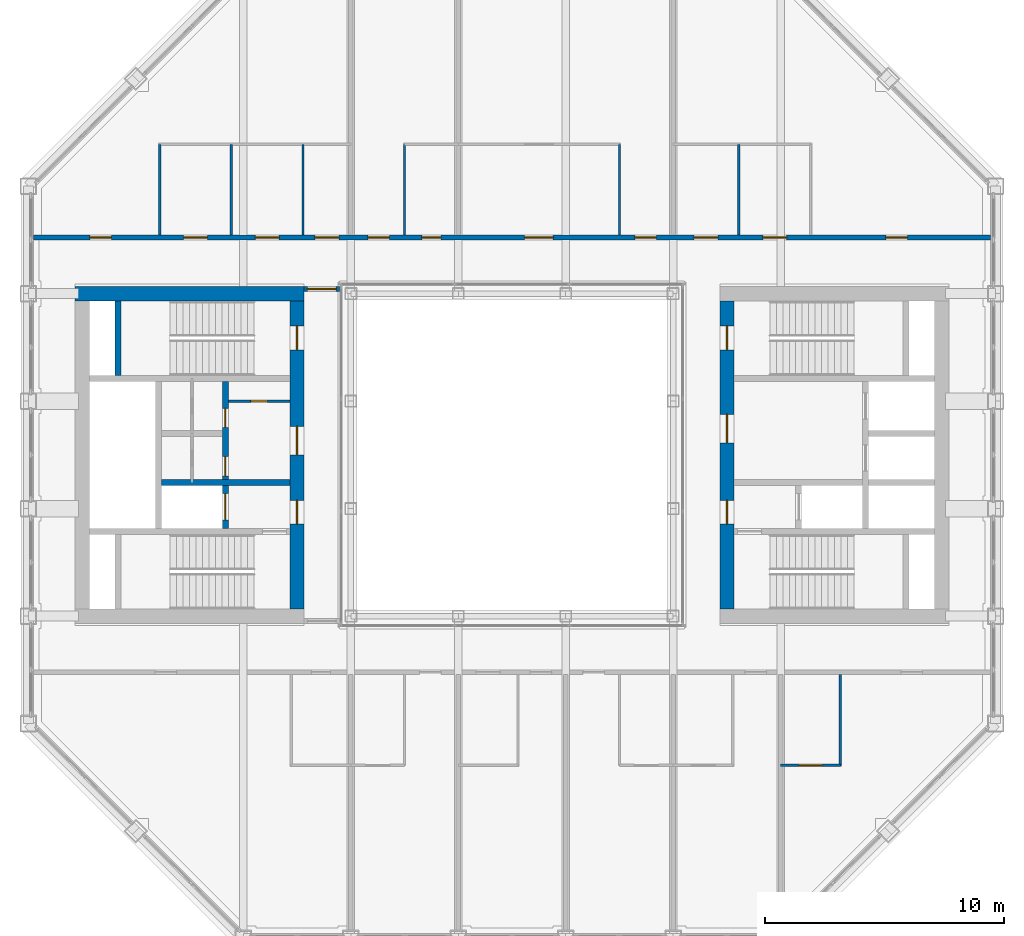
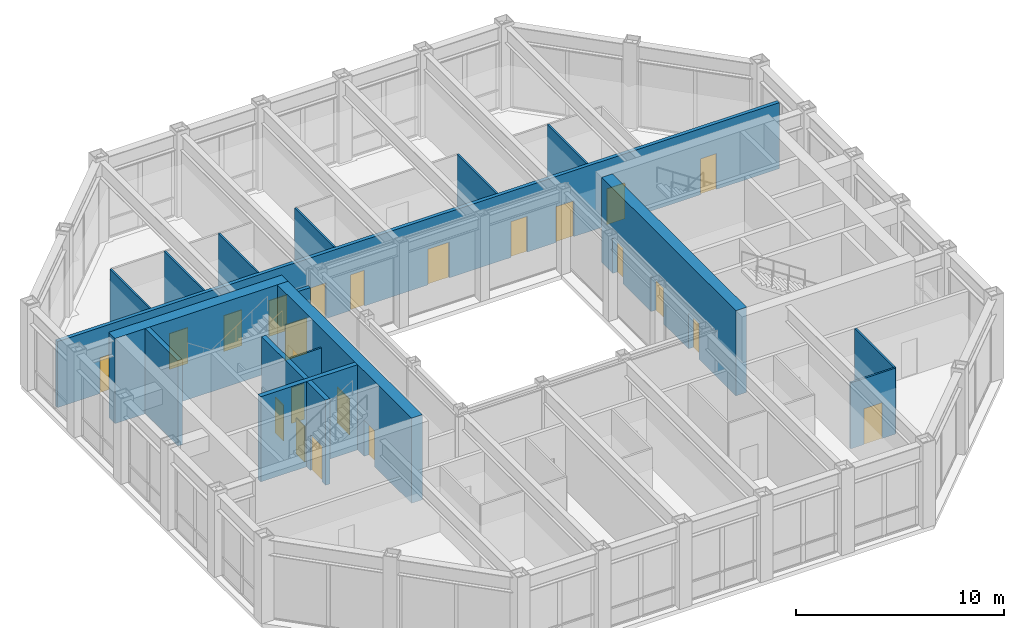
# One storey, part 12 of 15: 23 doors, 17 walls, 23 openings.
"""IFC4 building model written with IfcOpenShell, lengths in metres."""

from ifc_helpers import new_model, si_unit, direction, frame, frame_2d, origin, place, context, subcontext, project, spatial, rectangle, extrude, material, layer, layer_set, type_object, element, fill, save


model = new_model("IFC4")

# Units and contexts
model_context = context("Model", 3, precision=1e-05, world=origin(), true_north=direction((0.0, 1.0)))
body_context = subcontext(model_context, "Body", "Model", "MODEL_VIEW")
ifc_project = project(units=[si_unit("LENGTHUNIT", "METRE"), si_unit("AREAUNIT", "SQUARE_METRE"), si_unit("VOLUMEUNIT", "CUBIC_METRE"), si_unit("PLANEANGLEUNIT", "RADIAN"), si_unit("MASSUNIT", "GRAM", prefix="KILO")], contexts=[model_context])

# Site, building, storey
site_placement = place(None, origin())
site = spatial("IfcSite", under=ifc_project, at=site_placement, CompositionType="ELEMENT")
building_placement = place(site_placement, origin())
building = spatial("IfcBuilding", under=site, at=building_placement, Name="Msasa Ring Tower", CompositionType="ELEMENT")
storey_placement = place(building_placement, frame((0.0, 0.0, 195.800048828125)))
storey = spatial("IfcBuildingStorey", under=building, at=storey_placement, Name="L51", CompositionType="ELEMENT", Elevation=195.800048828125)

# Wall, openings, doors
ifc_material_1 = material(Name="Concrete C60/75", Category="concrete")
ifc_layer_1 = layer(ifc_material_1, 0.60009765625)
ifc_layer_set_1 = layer_set([ifc_layer_1], Name="CW3 CORE WALL 600")
wall_type_1 = type_object("IfcWallType", Name="CW3 CORE WALL 600", PredefinedType="SHEAR", material=ifc_layer_set_1)
wall_1_placement = place(storey_placement, frame((9.0, -6.449951171875, 0.0), z_axis=(0.0, 0.0, 1.0), x_axis=(0.0, 1.0, 0.0)))
wall_1 = element("IfcWall", 1, at=wall_1_placement, inside=storey, type_object=wall_type_1, Name="E core wall W L51", PredefinedType="SHEAR", context=body_context, shape_type="SweptSolid", body=[
    extrude(rectangle(XDim=12.89990234375, YDim=0.60009765625, at=frame_2d((6.449951171875, 0.0))), origin(), (0.0, 0.0, 1.0), 5.0),
])
opening_1_placement = place(wall_1_placement, frame((3.550048828125, 0.0, 0.0)))
opening_1 = element("IfcOpeningElement", 2, at=opening_1_placement, cuts=wall_1, Name="Opening L51-024", PredefinedType="OPENING", context=body_context, shape_type="SweptSolid", body=[
    extrude(rectangle(XDim=1.0, YDim=2.10009765625, at=frame_2d((0.5, 1.050048828125))), frame((0.0, 0.31005859375, 0.0), z_axis=(0.0, -1.0, 0.0), x_axis=(1.0, 0.0, 0.0)), (0.0, 0.0, 1.0), 0.6201171875),
])
opening_2_placement = place(wall_1_placement, frame((6.949951171875, 0.0, 0.0)))
opening_2 = element("IfcOpeningElement", 3, at=opening_2_placement, cuts=wall_1, Name="Opening L51-019", PredefinedType="OPENING", context=body_context, shape_type="SweptSolid", body=[
    extrude(rectangle(XDim=1.199951171875, YDim=2.10009765625, at=frame_2d((0.60009765625, 1.050048828125))), frame((0.0, 0.31005859375, 0.0), z_axis=(0.0, -1.0, 0.0), x_axis=(1.0, 0.0, 0.0)), (0.0, 0.0, 1.0), 0.6201171875),
])
opening_3_placement = place(wall_1_placement, frame((10.85009765625, 0.0, 0.0)))
opening_3 = element("IfcOpeningElement", 4, at=opening_3_placement, cuts=wall_1, Name="Opening L51-015", PredefinedType="OPENING", context=body_context, shape_type="SweptSolid", body=[
    extrude(rectangle(XDim=1.0, YDim=2.10009765625, at=frame_2d((0.5, 1.050048828125))), frame((0.0, 0.31005859375, 0.0), z_axis=(0.0, -1.0, 0.0), x_axis=(1.0, 0.0, 0.0)), (0.0, 0.0, 1.0), 0.6201171875),
])
ifc_material_2 = material(Name="Timber door leaf in a steel frame", Category="steel")
door_type_1 = type_object("IfcDoorType", Name="D4 LOBBY DOOR 1000x2100", OperationType="SINGLE_SWING_LEFT", PredefinedType="DOOR", material=ifc_material_2)
door_1_placement = place(opening_1_placement, origin())
door_1 = element("IfcDoor", 5, at=door_1_placement, inside=storey, type_object=door_type_1, Name="Door L51-EFFL", OperationType="SINGLE_SWING_LEFT", OverallHeight=2.10009765625, OverallWidth=1.0, PredefinedType="DOOR", context=body_context, shape_type="SweptSolid", body=[
    extrude(rectangle(XDim=1.0, YDim=2.10009765625, at=frame_2d((0.5, 1.050048828125))), frame((0.0, 0.02490234375, 0.0), z_axis=(0.0, -1.0, 0.0), x_axis=(1.0, 0.0, 0.0)), (0.0, 0.0, 1.0), 0.050048828125),
])
fill(opening_1, door_1)
ifc_material_3 = material(Name="Timber door leaf in a steel frame", Category="steel")
door_type_2 = type_object("IfcDoorType", Name="D5 WIDE LOBBY DOOR 1200x2100", OperationType="SINGLE_SWING_LEFT", PredefinedType="DOOR", material=ifc_material_3)
door_2_placement = place(opening_2_placement, origin())
door_2 = element("IfcDoor", 6, at=door_2_placement, inside=storey, type_object=door_type_2, Name="Door L51-ELL", OperationType="SINGLE_SWING_RIGHT", OverallHeight=2.10009765625, OverallWidth=1.199951171875, PredefinedType="DOOR", context=body_context, shape_type="SweptSolid", body=[
    extrude(rectangle(XDim=1.199951171875, YDim=2.10009765625, at=frame_2d((0.60009765625, 1.050048828125))), frame((0.0, 0.02490234375, 0.0), z_axis=(0.0, -1.0, 0.0), x_axis=(1.0, 0.0, 0.0)), (0.0, 0.0, 1.0), 0.050048828125),
])
fill(opening_2, door_2)
ifc_material_4 = material(Name="Timber door leaf in a steel frame", Category="steel")
door_type_3 = type_object("IfcDoorType", Name="D6 STAIR DOOR 1000x2100", OperationType="SINGLE_SWING_LEFT", PredefinedType="DOOR", material=ifc_material_4)
door_3_placement = place(opening_3_placement, origin())
door_3 = element("IfcDoor", 7, at=door_3_placement, inside=storey, type_object=door_type_3, Name="Door L51-ESTB", OperationType="SINGLE_SWING_RIGHT", OverallHeight=2.10009765625, OverallWidth=1.0, PredefinedType="DOOR", context=body_context, shape_type="SweptSolid", body=[
    extrude(rectangle(XDim=1.0, YDim=2.10009765625, at=frame_2d((0.5, 1.050048828125))), frame((0.0, 0.02490234375, 0.0), z_axis=(0.0, -1.0, 0.0), x_axis=(1.0, 0.0, 0.0)), (0.0, 0.0, 1.0), 0.050048828125),
])
fill(opening_3, door_3)

# Wall
wall_2_placement = place(storey_placement, frame((-8.699951171875, 6.75, 0.0), z_axis=(0.0, 0.0, 1.0), x_axis=(-1.0, 0.0, 0.0)))
element("IfcWall", 8, at=wall_2_placement, inside=storey, type_object=wall_type_1, Name="W core wall N L51", PredefinedType="SHEAR", context=body_context, shape_type="SweptSolid", body=[
    extrude(rectangle(XDim=9.60009765625, YDim=0.60009765625, at=frame_2d((4.800048828125, 0.0))), origin(), (0.0, 0.0, 1.0), 5.0),
])

# Wall, openings, doors
wall_3_placement = place(storey_placement, frame((-9.0, -6.449951171875, 0.0), z_axis=(0.0, 0.0, 1.0), x_axis=(0.0, 1.0, 0.0)))
wall_3 = element("IfcWall", 9, at=wall_3_placement, inside=storey, type_object=wall_type_1, Name="W core wall W L51", PredefinedType="SHEAR", context=body_context, shape_type="SweptSolid", body=[
    extrude(rectangle(XDim=12.89990234375, YDim=0.60009765625, at=frame_2d((6.449951171875, 0.0))), origin(), (0.0, 0.0, 1.0), 5.0),
])
opening_4_placement = place(wall_3_placement, frame((3.550048828125, 0.0, 0.0)))
opening_4 = element("IfcOpeningElement", 10, at=opening_4_placement, cuts=wall_3, Name="Opening L51-023", PredefinedType="OPENING", context=body_context, shape_type="SweptSolid", body=[
    extrude(rectangle(XDim=1.0, YDim=2.10009765625, at=frame_2d((0.5, 1.050048828125))), frame((0.0, 0.31005859375, 0.0), z_axis=(0.0, -1.0, 0.0), x_axis=(1.0, 0.0, 0.0)), (0.0, 0.0, 1.0), 0.6201171875),
])
opening_5_placement = place(wall_3_placement, frame((6.449951171875, 0.0, 0.0)))
opening_5 = element("IfcOpeningElement", 11, at=opening_5_placement, cuts=wall_3, Name="Opening L51-020", PredefinedType="OPENING", context=body_context, shape_type="SweptSolid", body=[
    extrude(rectangle(XDim=1.199951171875, YDim=2.10009765625, at=frame_2d((0.60009765625, 1.050048828125))), frame((0.0, 0.31005859375, 0.0), z_axis=(0.0, -1.0, 0.0), x_axis=(1.0, 0.0, 0.0)), (0.0, 0.0, 1.0), 0.6201171875),
])
opening_6_placement = place(wall_3_placement, frame((10.85009765625, 0.0, 0.0)))
opening_6 = element("IfcOpeningElement", 12, at=opening_6_placement, cuts=wall_3, Name="Opening L51-014", PredefinedType="OPENING", context=body_context, shape_type="SweptSolid", body=[
    extrude(rectangle(XDim=1.0, YDim=2.10009765625, at=frame_2d((0.5, 1.050048828125))), frame((0.0, 0.31005859375, 0.0), z_axis=(0.0, -1.0, 0.0), x_axis=(1.0, 0.0, 0.0)), (0.0, 0.0, 1.0), 0.6201171875),
])
door_4_placement = place(opening_4_placement, origin())
door_4 = element("IfcDoor", 13, at=door_4_placement, inside=storey, type_object=door_type_1, Name="Door L51-WFFL", OperationType="SINGLE_SWING_LEFT", OverallHeight=2.10009765625, OverallWidth=1.0, PredefinedType="DOOR", context=body_context, shape_type="SweptSolid", body=[
    extrude(rectangle(XDim=1.0, YDim=2.10009765625, at=frame_2d((0.5, 1.050048828125))), frame((0.0, 0.02490234375, 0.0), z_axis=(0.0, -1.0, 0.0), x_axis=(1.0, 0.0, 0.0)), (0.0, 0.0, 1.0), 0.050048828125),
])
fill(opening_4, door_4)
door_5_placement = place(opening_5_placement, origin())
door_5 = element("IfcDoor", 14, at=door_5_placement, inside=storey, type_object=door_type_2, Name="Door L51-WLL", OperationType="SINGLE_SWING_RIGHT", OverallHeight=2.10009765625, OverallWidth=1.199951171875, PredefinedType="DOOR", context=body_context, shape_type="SweptSolid", body=[
    extrude(rectangle(XDim=1.199951171875, YDim=2.10009765625, at=frame_2d((0.60009765625, 1.050048828125))), frame((0.0, 0.02490234375, 0.0), z_axis=(0.0, -1.0, 0.0), x_axis=(1.0, 0.0, 0.0)), (0.0, 0.0, 1.0), 0.050048828125),
])
fill(opening_5, door_5)
door_6_placement = place(opening_6_placement, origin())
door_6 = element("IfcDoor", 15, at=door_6_placement, inside=storey, type_object=door_type_3, Name="Door L51-WSTB", OperationType="SINGLE_SWING_RIGHT", OverallHeight=2.10009765625, OverallWidth=1.0, PredefinedType="DOOR", context=body_context, shape_type="SweptSolid", body=[
    extrude(rectangle(XDim=1.0, YDim=2.10009765625, at=frame_2d((0.5, 1.050048828125))), frame((0.0, 0.02490234375, 0.0), z_axis=(0.0, -1.0, 0.0), x_axis=(1.0, 0.0, 0.0)), (0.0, 0.0, 1.0), 0.050048828125),
])
fill(opening_6, door_6)

# Walls
ifc_material_5 = material(Name="Concrete C60/75", Category="concrete")
ifc_layer_2 = layer(ifc_material_5, 0.25)
ifc_layer_set_2 = layer_set([ifc_layer_2], Name="CW4 CORE INNER WALL 250")
wall_type_2 = type_object("IfcWallType", Name="CW4 CORE INNER WALL 250", PredefinedType="SHEAR", material=ifc_layer_set_2)
wall_4_placement = place(storey_placement, frame((-16.5, 3.324951171875, 0.0), z_axis=(0.0, 0.0, 1.0), x_axis=(0.0, 1.0, 0.0)))
element("IfcWall", 16, at=wall_4_placement, inside=storey, type_object=wall_type_2, Name="W core wall RISERB L51", PredefinedType="SHEAR", context=body_context, shape_type="SweptSolid", body=[
    extrude(rectangle(XDim=3.125, YDim=0.25, at=frame_2d((1.5625, 0.0))), origin(), (0.0, 0.0, 1.0), 5.0),
])
wall_5_placement = place(storey_placement, frame((-9.300048828125, -1.14990234375, 0.0), z_axis=(0.0, 0.0, 1.0), x_axis=(-1.0, 0.0, 0.0)))
element("IfcWall", 17, at=wall_5_placement, inside=storey, type_object=wall_type_2, Name="W core wall FFL L51", PredefinedType="SHEAR", context=body_context, shape_type="SweptSolid", body=[
    extrude(rectangle(XDim=5.375, YDim=0.25, at=frame_2d((2.6875, 0.0))), origin(), (0.0, 0.0, 1.0), 5.0),
])

# Wall, openings, doors
wall_6_placement = place(storey_placement, frame((-12.0, -3.074951171875, 0.0), z_axis=(0.0, 0.0, 1.0), x_axis=(0.0, 1.0, 0.0)))
wall_6 = element("IfcWall", 18, at=wall_6_placement, inside=storey, type_object=wall_type_2, Name="W core wall LOBBY L51", PredefinedType="SHEAR", context=body_context, shape_type="SweptSolid", body=[
    extrude(rectangle(XDim=6.14990234375, YDim=0.25, at=frame_2d((3.074951171875, 0.0))), origin(), (0.0, 0.0, 1.0), 5.0),
])
opening_7_placement = place(wall_6_placement, frame((2.199951171875, 0.0, 0.0)))
opening_7 = element("IfcOpeningElement", 19, at=opening_7_placement, cuts=wall_6, Name="Opening L51-022", PredefinedType="OPENING", context=body_context, shape_type="SweptSolid", body=[
    extrude(rectangle(XDim=0.800048828125, YDim=2.10009765625, at=frame_2d((0.39990234375, 1.050048828125))), frame((0.0, 0.135009765625, 0.0), z_axis=(0.0, -1.0, 0.0), x_axis=(1.0, 0.0, 0.0)), (0.0, 0.0, 1.0), 0.27001953125),
])
opening_8_placement = place(wall_6_placement, frame((4.22509765625, 0.0, 0.0)))
opening_8 = element("IfcOpeningElement", 20, at=opening_8_placement, cuts=wall_6, Name="Opening L51-018", PredefinedType="OPENING", context=body_context, shape_type="SweptSolid", body=[
    extrude(rectangle(XDim=0.800048828125, YDim=2.10009765625, at=frame_2d((0.39990234375, 1.050048828125))), frame((0.0, 0.135009765625, 0.0), z_axis=(0.0, -1.0, 0.0), x_axis=(1.0, 0.0, 0.0)), (0.0, 0.0, 1.0), 0.27001953125),
])
opening_9_placement = place(wall_6_placement, frame((0.35009765625, 0.0, 0.0)))
opening_9 = element("IfcOpeningElement", 21, at=opening_9_placement, cuts=wall_6, Name="Opening LD1", PredefinedType="OPENING", context=body_context, shape_type="SweptSolid", body=[
    extrude(rectangle(XDim=1.10009765625, YDim=2.10009765625, at=frame_2d((0.550048828125, 1.050048828125))), frame((0.0, 0.135009765625, 0.0), z_axis=(0.0, -1.0, 0.0), x_axis=(1.0, 0.0, 0.0)), (0.0, 0.0, 1.0), 0.27001953125),
])
ifc_material_6 = material(Name="Timber door leaf in a steel frame", Category="steel")
door_type_4 = type_object("IfcDoorType", Name="D9 NARROW SERVICE DOOR 800x2100", OperationType="SINGLE_SWING_LEFT", PredefinedType="DOOR", material=ifc_material_6)
door_7_placement = place(opening_7_placement, origin())
door_7 = element("IfcDoor", 22, at=door_7_placement, inside=storey, type_object=door_type_4, Name="Door L51-WR1", OperationType="SINGLE_SWING_LEFT", OverallHeight=2.10009765625, OverallWidth=0.800048828125, PredefinedType="DOOR", context=body_context, shape_type="SweptSolid", body=[
    extrude(rectangle(XDim=0.800048828125, YDim=2.10009765625, at=frame_2d((0.39990234375, 1.050048828125))), frame((0.0, 0.02490234375, 0.0), z_axis=(0.0, -1.0, 0.0), x_axis=(1.0, 0.0, 0.0)), (0.0, 0.0, 1.0), 0.050048828125),
])
fill(opening_7, door_7)
door_8_placement = place(opening_8_placement, origin())
door_8 = element("IfcDoor", 23, at=door_8_placement, inside=storey, type_object=door_type_4, Name="Door L51-WR2", OperationType="SINGLE_SWING_RIGHT", OverallHeight=2.10009765625, OverallWidth=0.800048828125, PredefinedType="DOOR", context=body_context, shape_type="SweptSolid", body=[
    extrude(rectangle(XDim=0.800048828125, YDim=2.10009765625, at=frame_2d((0.39990234375, 1.050048828125))), frame((0.0, 0.02490234375, 0.0), z_axis=(0.0, -1.0, 0.0), x_axis=(1.0, 0.0, 0.0)), (0.0, 0.0, 1.0), 0.050048828125),
])
fill(opening_8, door_8)
ifc_material_7 = material(Name="Stainless steel lift landing door", Category="steel")
door_type_5 = type_object("IfcDoorType", Name="LD1 LIFT LANDING DOOR 1100x2100", OperationType="DOUBLE_DOOR_SLIDING", PredefinedType="DOOR", material=ifc_material_7)
door_9_placement = place(opening_9_placement, origin())
door_9 = element("IfcDoor", 24, at=door_9_placement, inside=storey, type_object=door_type_5, Name="Lift landing door FL-W L51", OperationType="DOUBLE_DOOR_SLIDING", OverallHeight=2.10009765625, OverallWidth=1.10009765625, PredefinedType="DOOR", context=body_context, shape_type="SweptSolid", body=[
    extrude(rectangle(XDim=1.10009765625, YDim=2.10009765625, at=frame_2d((0.550048828125, 1.050048828125))), frame((0.0, 0.02490234375, 0.0), z_axis=(0.0, -1.0, 0.0), x_axis=(1.0, 0.0, 0.0)), (0.0, 0.0, 1.0), 0.050048828125),
])
fill(opening_9, door_9)

# Wall, opening, door
ifc_material_8 = material(Name="Concrete blockwork", Category="masonry")
ifc_layer_3 = layer(ifc_material_8, 0.199951171875)
ifc_layer_set_3 = layer_set([ifc_layer_3], Name="PT1 CORRIDOR WALL 200")
wall_type_3 = type_object("IfcWallType", Name="PT1 CORRIDOR WALL 200", PredefinedType="PARTITIONING", material=ifc_layer_set_3)
wall_7_placement = place(storey_placement, frame((-8.699951171875, 6.949951171875, 0.0), z_axis=(0.0, 0.0, 1.0), x_axis=(1.0, 0.0, 0.0)))
wall_7 = element("IfcWall", 25, at=wall_7_placement, inside=storey, type_object=wall_type_3, Name="Corridor wall L51-SDWN", PredefinedType="PARTITIONING", context=body_context, shape_type="SweptSolid", body=[
    extrude(rectangle(XDim=1.469970703125, YDim=0.199951171875, at=frame_2d((0.73486328125, 0.0))), origin(), (0.0, 0.0, 1.0), 3.873291015625),
])
opening_10_placement = place(wall_7_placement, frame((0.135009765625, 0.0, 0.0)))
opening_10 = element("IfcOpeningElement", 26, at=opening_10_placement, cuts=wall_7, Name="Opening L51-013", PredefinedType="OPENING", context=body_context, shape_type="SweptSolid", body=[
    extrude(rectangle(XDim=1.199951171875, YDim=2.10009765625, at=frame_2d((0.60009765625, 1.050048828125))), frame((0.0, 0.10986328125, 0.0), z_axis=(0.0, -1.0, 0.0), x_axis=(1.0, 0.0, 0.0)), (0.0, 0.0, 1.0), 0.219970703125),
])
ifc_material_9 = material(Name="Timber door leaf in a steel frame", Category="steel")
door_type_6 = type_object("IfcDoorType", Name="D25 CORRIDOR PAIR OF SMOKE DOORS 1200x2100", OperationType="DOUBLE_DOOR_DOUBLE_SWING", PredefinedType="DOOR", material=ifc_material_9)
door_10_placement = place(opening_10_placement, origin())
door_10 = element("IfcDoor", 27, at=door_10_placement, inside=storey, type_object=door_type_6, Name="Door L51-SDWN", OperationType="DOUBLE_DOOR_DOUBLE_SWING", OverallHeight=2.10009765625, OverallWidth=1.199951171875, PredefinedType="DOOR", context=body_context, shape_type="SweptSolid", body=[
    extrude(rectangle(XDim=1.199951171875, YDim=2.10009765625, at=frame_2d((0.60009765625, 1.050048828125))), frame((0.0, 0.02490234375, 0.0), z_axis=(0.0, -1.0, 0.0), x_axis=(1.0, 0.0, 0.0)), (0.0, 0.0, 1.0), 0.050048828125),
])
fill(opening_10, door_10)

# Wall, openings, doors
wall_8_placement = place(storey_placement, frame((-20.02490234375, 9.10009765625, 0.0), z_axis=(0.0, 0.0, 1.0), x_axis=(1.0, 0.0, 0.0)))
wall_8 = element("IfcWall", 28, at=wall_8_placement, inside=storey, type_object=wall_type_3, Name="Corridor wall L51-CORRN0", PredefinedType="PARTITIONING", context=body_context, shape_type="SweptSolid", body=[
    extrude(rectangle(XDim=40.0498046875, YDim=0.199951171875, at=frame_2d((20.02490234375, 0.0))), origin(), (0.0, 0.0, 1.0), 3.873291015625),
])
opening_11_placement = place(wall_8_placement, frame((2.3486328125, 0.0, 0.0)))
opening_11 = element("IfcOpeningElement", 29, at=opening_11_placement, cuts=wall_8, Name="Opening L51-002", PredefinedType="OPENING", context=body_context, shape_type="SweptSolid", body=[
    extrude(rectangle(XDim=0.89990234375, YDim=2.10009765625, at=frame_2d((0.449951171875, 1.050048828125))), frame((0.0, 0.10986328125, 0.0), z_axis=(0.0, -1.0, 0.0), x_axis=(1.0, 0.0, 0.0)), (0.0, 0.0, 1.0), 0.219970703125),
])
opening_12_placement = place(wall_8_placement, frame((6.27490234375, 0.0, 0.0)))
opening_12 = element("IfcOpeningElement", 30, at=opening_12_placement, cuts=wall_8, Name="Opening L51-003", PredefinedType="OPENING", context=body_context, shape_type="SweptSolid", body=[
    extrude(rectangle(XDim=1.0, YDim=2.10009765625, at=frame_2d((0.5, 1.050048828125))), frame((0.0, 0.10986328125, 0.0), z_axis=(0.0, -1.0, 0.0), x_axis=(1.0, 0.0, 0.0)), (0.0, 0.0, 1.0), 0.219970703125),
])
opening_13_placement = place(wall_8_placement, frame((9.27490234375, 0.0, 0.0)))
opening_13 = element("IfcOpeningElement", 31, at=opening_13_placement, cuts=wall_8, Name="Opening L51-004", PredefinedType="OPENING", context=body_context, shape_type="SweptSolid", body=[
    extrude(rectangle(XDim=1.0, YDim=2.10009765625, at=frame_2d((0.5, 1.050048828125))), frame((0.0, 0.10986328125, 0.0), z_axis=(0.0, -1.0, 0.0), x_axis=(1.0, 0.0, 0.0)), (0.0, 0.0, 1.0), 0.219970703125),
])
opening_14_placement = place(wall_8_placement, frame((11.77490234375, 0.0, 0.0)))
opening_14 = element("IfcOpeningElement", 32, at=opening_14_placement, cuts=wall_8, Name="Opening L51-005", PredefinedType="OPENING", context=body_context, shape_type="SweptSolid", body=[
    extrude(rectangle(XDim=1.0, YDim=2.10009765625, at=frame_2d((0.5, 1.050048828125))), frame((0.0, 0.10986328125, 0.0), z_axis=(0.0, -1.0, 0.0), x_axis=(1.0, 0.0, 0.0)), (0.0, 0.0, 1.0), 0.219970703125),
])
opening_15_placement = place(wall_8_placement, frame((13.9892578125, 0.0, 0.0)))
opening_15 = element("IfcOpeningElement", 33, at=opening_15_placement, cuts=wall_8, Name="Opening L51-006", PredefinedType="OPENING", context=body_context, shape_type="SweptSolid", body=[
    extrude(rectangle(XDim=0.89990234375, YDim=2.10009765625, at=frame_2d((0.449951171875, 1.050048828125))), frame((0.0, 0.10986328125, 0.0), z_axis=(0.0, -1.0, 0.0), x_axis=(1.0, 0.0, 0.0)), (0.0, 0.0, 1.0), 0.219970703125),
])
opening_16_placement = place(wall_8_placement, frame((16.25, 0.0, 0.0)))
opening_16 = element("IfcOpeningElement", 34, at=opening_16_placement, cuts=wall_8, Name="Opening L51-007", PredefinedType="OPENING", context=body_context, shape_type="SweptSolid", body=[
    extrude(rectangle(XDim=0.800048828125, YDim=2.10009765625, at=frame_2d((0.39990234375, 1.050048828125))), frame((0.0, 0.10986328125, 0.0), z_axis=(0.0, -1.0, 0.0), x_axis=(1.0, 0.0, 0.0)), (0.0, 0.0, 1.0), 0.219970703125),
])
opening_17_placement = place(wall_8_placement, frame((25.1689453125, 0.0, 0.0)))
opening_17 = element("IfcOpeningElement", 35, at=opening_17_placement, cuts=wall_8, Name="Opening L51-009", PredefinedType="OPENING", context=body_context, shape_type="SweptSolid", body=[
    extrude(rectangle(XDim=0.89990234375, YDim=2.10009765625, at=frame_2d((0.449951171875, 1.050048828125))), frame((0.0, 0.10986328125, 0.0), z_axis=(0.0, -1.0, 0.0), x_axis=(1.0, 0.0, 0.0)), (0.0, 0.0, 1.0), 0.219970703125),
])
opening_18_placement = place(wall_8_placement, frame((20.550048828125, 0.0, 0.0)))
opening_18 = element("IfcOpeningElement", 36, at=opening_18_placement, cuts=wall_8, Name="Opening L51-008", PredefinedType="OPENING", context=body_context, shape_type="SweptSolid", body=[
    extrude(rectangle(XDim=1.199951171875, YDim=2.10009765625, at=frame_2d((0.60009765625, 1.050048828125))), frame((0.0, 0.10986328125, 0.0), z_axis=(0.0, -1.0, 0.0), x_axis=(1.0, 0.0, 0.0)), (0.0, 0.0, 1.0), 0.219970703125),
])
opening_19_placement = place(wall_8_placement, frame((35.677001953125, 0.0, 0.0)))
opening_19 = element("IfcOpeningElement", 37, at=opening_19_placement, cuts=wall_8, Name="Opening L51-012", PredefinedType="OPENING", context=body_context, shape_type="SweptSolid", body=[
    extrude(rectangle(XDim=0.89990234375, YDim=2.10009765625, at=frame_2d((0.449951171875, 1.050048828125))), frame((0.0, 0.10986328125, 0.0), z_axis=(0.0, -1.0, 0.0), x_axis=(1.0, 0.0, 0.0)), (0.0, 0.0, 1.0), 0.219970703125),
])
opening_20_placement = place(wall_8_placement, frame((27.64990234375, 0.0, 0.0)))
opening_20 = element("IfcOpeningElement", 38, at=opening_20_placement, cuts=wall_8, Name="Opening L51-010", PredefinedType="OPENING", context=body_context, shape_type="SweptSolid", body=[
    extrude(rectangle(XDim=1.0, YDim=2.10009765625, at=frame_2d((0.5, 1.050048828125))), frame((0.0, 0.10986328125, 0.0), z_axis=(0.0, -1.0, 0.0), x_axis=(1.0, 0.0, 0.0)), (0.0, 0.0, 1.0), 0.219970703125),
])
opening_21_placement = place(wall_8_placement, frame((30.52490234375, 0.0, 0.0)))
opening_21 = element("IfcOpeningElement", 39, at=opening_21_placement, cuts=wall_8, Name="Opening L51-011", PredefinedType="OPENING", context=body_context, shape_type="SweptSolid", body=[
    extrude(rectangle(XDim=1.0, YDim=2.10009765625, at=frame_2d((0.5, 1.050048828125))), frame((0.0, 0.10986328125, 0.0), z_axis=(0.0, -1.0, 0.0), x_axis=(1.0, 0.0, 0.0)), (0.0, 0.0, 1.0), 0.219970703125),
])
ifc_material_10 = material(Name="Timber door leaf in a steel frame", Category="steel")
door_type_7 = type_object("IfcDoorType", Name="D1 SINGLE DOOR TO CORRIDOR 900x2100", OperationType="SINGLE_SWING_LEFT", PredefinedType="DOOR", material=ifc_material_10)
door_11_placement = place(opening_11_placement, origin())
door_11 = element("IfcDoor", 40, at=door_11_placement, inside=storey, type_object=door_type_7, Name="Door L51-CLN0F0", OperationType="SINGLE_SWING_LEFT", OverallHeight=2.10009765625, OverallWidth=0.89990234375, PredefinedType="DOOR", context=body_context, shape_type="SweptSolid", body=[
    extrude(rectangle(XDim=0.89990234375, YDim=2.10009765625, at=frame_2d((0.449951171875, 1.050048828125))), frame((0.0, 0.02490234375, 0.0), z_axis=(0.0, -1.0, 0.0), x_axis=(1.0, 0.0, 0.0)), (0.0, 0.0, 1.0), 0.050048828125),
])
fill(opening_11, door_11)
door_12_placement = place(opening_15_placement, origin())
door_12 = element("IfcDoor", 41, at=door_12_placement, inside=storey, type_object=door_type_7, Name="Door L51-CLN1F0", OperationType="SINGLE_SWING_LEFT", OverallHeight=2.10009765625, OverallWidth=0.89990234375, PredefinedType="DOOR", context=body_context, shape_type="SweptSolid", body=[
    extrude(rectangle(XDim=0.89990234375, YDim=2.10009765625, at=frame_2d((0.449951171875, 1.050048828125))), frame((0.0, 0.02490234375, 0.0), z_axis=(0.0, -1.0, 0.0), x_axis=(1.0, 0.0, 0.0)), (0.0, 0.0, 1.0), 0.050048828125),
])
fill(opening_15, door_12)
door_13_placement = place(opening_17_placement, origin())
door_13 = element("IfcDoor", 42, at=door_13_placement, inside=storey, type_object=door_type_7, Name="Door L51-CLN2F0", OperationType="SINGLE_SWING_RIGHT", OverallHeight=2.10009765625, OverallWidth=0.89990234375, PredefinedType="DOOR", context=body_context, shape_type="SweptSolid", body=[
    extrude(rectangle(XDim=0.89990234375, YDim=2.10009765625, at=frame_2d((0.449951171875, 1.050048828125))), frame((0.0, 0.02490234375, 0.0), z_axis=(0.0, -1.0, 0.0), x_axis=(1.0, 0.0, 0.0)), (0.0, 0.0, 1.0), 0.050048828125),
])
fill(opening_17, door_13)
door_14_placement = place(opening_19_placement, origin())
door_14 = element("IfcDoor", 43, at=door_14_placement, inside=storey, type_object=door_type_7, Name="Door L51-CLN3F0", OperationType="SINGLE_SWING_RIGHT", OverallHeight=2.10009765625, OverallWidth=0.89990234375, PredefinedType="DOOR", context=body_context, shape_type="SweptSolid", body=[
    extrude(rectangle(XDim=0.89990234375, YDim=2.10009765625, at=frame_2d((0.449951171875, 1.050048828125))), frame((0.0, 0.02490234375, 0.0), z_axis=(0.0, -1.0, 0.0), x_axis=(1.0, 0.0, 0.0)), (0.0, 0.0, 1.0), 0.050048828125),
])
fill(opening_19, door_14)
ifc_material_11 = material(Name="Timber door leaf in a steel frame", Category="steel")
door_type_8 = type_object("IfcDoorType", Name="D11 NARROW STORE DOOR 800x2100", OperationType="SINGLE_SWING_LEFT", PredefinedType="DOOR", material=ifc_material_11)
door_15_placement = place(opening_16_placement, origin())
door_15 = element("IfcDoor", 44, at=door_15_placement, inside=storey, type_object=door_type_8, Name="Door L51-CLN1B0", OperationType="SINGLE_SWING_LEFT", OverallHeight=2.10009765625, OverallWidth=0.800048828125, PredefinedType="DOOR", context=body_context, shape_type="SweptSolid", body=[
    extrude(rectangle(XDim=0.800048828125, YDim=2.10009765625, at=frame_2d((0.39990234375, 1.050048828125))), frame((0.0, 0.02490234375, 0.0), z_axis=(0.0, -1.0, 0.0), x_axis=(1.0, 0.0, 0.0)), (0.0, 0.0, 1.0), 0.050048828125),
])
fill(opening_16, door_15)
ifc_material_12 = material(Name="Timber door leaf in a steel frame", Category="steel")
door_type_9 = type_object("IfcDoorType", Name="D12 WC DOOR 1000x2100", OperationType="SINGLE_SWING_LEFT", PredefinedType="DOOR", material=ifc_material_12)
door_16_placement = place(opening_12_placement, origin())
door_16 = element("IfcDoor", 45, at=door_16_placement, inside=storey, type_object=door_type_9, Name="Door L51-CLN0B0", OperationType="SINGLE_SWING_LEFT", OverallHeight=2.10009765625, OverallWidth=1.0, PredefinedType="DOOR", context=body_context, shape_type="SweptSolid", body=[
    extrude(rectangle(XDim=1.0, YDim=2.10009765625, at=frame_2d((0.5, 1.050048828125))), frame((0.0, 0.02490234375, 0.0), z_axis=(0.0, -1.0, 0.0), x_axis=(1.0, 0.0, 0.0)), (0.0, 0.0, 1.0), 0.050048828125),
])
fill(opening_12, door_16)
door_17_placement = place(opening_13_placement, origin())
door_17 = element("IfcDoor", 46, at=door_17_placement, inside=storey, type_object=door_type_9, Name="Door L51-CLN0B1", OperationType="SINGLE_SWING_LEFT", OverallHeight=2.10009765625, OverallWidth=1.0, PredefinedType="DOOR", context=body_context, shape_type="SweptSolid", body=[
    extrude(rectangle(XDim=1.0, YDim=2.10009765625, at=frame_2d((0.5, 1.050048828125))), frame((0.0, 0.02490234375, 0.0), z_axis=(0.0, -1.0, 0.0), x_axis=(1.0, 0.0, 0.0)), (0.0, 0.0, 1.0), 0.050048828125),
])
fill(opening_13, door_17)
door_18_placement = place(opening_14_placement, origin())
door_18 = element("IfcDoor", 47, at=door_18_placement, inside=storey, type_object=door_type_9, Name="Door L51-CLN0B2", OperationType="SINGLE_SWING_LEFT", OverallHeight=2.10009765625, OverallWidth=1.0, PredefinedType="DOOR", context=body_context, shape_type="SweptSolid", body=[
    extrude(rectangle(XDim=1.0, YDim=2.10009765625, at=frame_2d((0.5, 1.050048828125))), frame((0.0, 0.02490234375, 0.0), z_axis=(0.0, -1.0, 0.0), x_axis=(1.0, 0.0, 0.0)), (0.0, 0.0, 1.0), 0.050048828125),
])
fill(opening_14, door_18)
ifc_material_13 = material(Name="Timber door leaf in a steel frame", Category="steel")
door_type_10 = type_object("IfcDoorType", Name="D26 WIDE SERVICE ROOM DOOR 1200x2100", OperationType="SINGLE_SWING_LEFT", PredefinedType="DOOR", material=ifc_material_13)
door_19_placement = place(opening_18_placement, origin())
door_19 = element("IfcDoor", 48, at=door_19_placement, inside=storey, type_object=door_type_10, Name="Door L51-CLN2B0C", OperationType="SINGLE_SWING_RIGHT", OverallHeight=2.10009765625, OverallWidth=1.199951171875, PredefinedType="DOOR", context=body_context, shape_type="SweptSolid", body=[
    extrude(rectangle(XDim=1.199951171875, YDim=2.10009765625, at=frame_2d((0.60009765625, 1.050048828125))), frame((0.0, 0.02490234375, 0.0), z_axis=(0.0, -1.0, 0.0), x_axis=(1.0, 0.0, 0.0)), (0.0, 0.0, 1.0), 0.050048828125),
])
fill(opening_18, door_19)
ifc_material_14 = material(Name="Timber door leaf in a steel frame", Category="steel")
door_type_11 = type_object("IfcDoorType", Name="D40 SINGLE DOOR TO CORRIDOR 1000x2100", OperationType="SINGLE_SWING_LEFT", PredefinedType="DOOR", material=ifc_material_14)
door_20_placement = place(opening_20_placement, origin())
door_20 = element("IfcDoor", 49, at=door_20_placement, inside=storey, type_object=door_type_11, Name="Door L51-CLN3B0", OperationType="SINGLE_SWING_RIGHT", OverallHeight=2.10009765625, OverallWidth=1.0, PredefinedType="DOOR", context=body_context, shape_type="SweptSolid", body=[
    extrude(rectangle(XDim=1.0, YDim=2.10009765625, at=frame_2d((0.5, 1.050048828125))), frame((0.0, 0.02490234375, 0.0), z_axis=(0.0, -1.0, 0.0), x_axis=(1.0, 0.0, 0.0)), (0.0, 0.0, 1.0), 0.050048828125),
])
fill(opening_20, door_20)
door_21_placement = place(opening_21_placement, origin())
door_21 = element("IfcDoor", 50, at=door_21_placement, inside=storey, type_object=door_type_11, Name="Door L51-CLN3B1", OperationType="SINGLE_SWING_RIGHT", OverallHeight=2.10009765625, OverallWidth=1.0, PredefinedType="DOOR", context=body_context, shape_type="SweptSolid", body=[
    extrude(rectangle(XDim=1.0, YDim=2.10009765625, at=frame_2d((0.5, 1.050048828125))), frame((0.0, 0.02490234375, 0.0), z_axis=(0.0, -1.0, 0.0), x_axis=(1.0, 0.0, 0.0)), (0.0, 0.0, 1.0), 0.050048828125),
])
fill(opening_21, door_21)

# Walls
ifc_material_15 = material(Name="Gypsum board on steel studs", Category="steel")
ifc_layer_4 = layer(ifc_material_15, 0.10009765625)
ifc_layer_set_4 = layer_set([ifc_layer_4], Name="PT2 STUD PARTITION 100")
wall_type_4 = type_object("IfcWallType", Name="PT2 STUD PARTITION 100", PredefinedType="PARTITIONING", material=ifc_layer_set_4)
for number, where, z_axis, x_axis, name in (
    (51, (-14.75, 9.199951171875, 0.0), (0.0, 0.0, 1.0), (0.0, 1.0, 0.0), "Partition L51-CLN0Y0"),
    (52, (-11.75, 9.199951171875, 0.0), (0.0, 0.0, 1.0), (0.0, 1.0, 0.0), "Partition L51-CLN0Y1"),
    (53, (-8.75, 9.199951171875, 0.0), (0.0, 0.0, 1.0), (0.0, 1.0, 0.0), "Partition L51-CLN0Y2"),
    (54, (-4.5, 9.199951171875, 0.0), (0.0, 0.0, 1.0), (0.0, 1.0, 0.0), "Partition L51-CLN1Y0"),
    (55, (4.5, 9.199951171875, 0.0), (0.0, 0.0, 1.0), (0.0, 1.0, 0.0), "Partition L51-CLN2Y0"),
    (56, (9.5, 9.199951171875, 0.0), (0.0, 0.0, 1.0), (0.0, 1.0, 0.0), "Partition L51-CLN3Y0"),
):
    element("IfcWall", number, at=place(storey_placement, frame(where, z_axis=z_axis, x_axis=x_axis)), inside=storey, type_object=wall_type_4, Name=name, PredefinedType="PARTITIONING", context=body_context, shape_type="SweptSolid", body=[
        extrude(rectangle(XDim=3.800048828125, YDim=0.10009765625, at=frame_2d((1.89990234375, 0.0))), origin(), (0.0, 0.0, 1.0), 3.873291015625),
    ])

# Wall, opening, door
wall_9_placement = place(storey_placement, frame((11.25, -13.0, 0.0), z_axis=(0.0, 0.0, 1.0), x_axis=(1.0, 0.0, 0.0)))
wall_9 = element("IfcWall", 57, at=wall_9_placement, inside=storey, type_object=wall_type_4, Name="Partition L51-CLS5X0", PredefinedType="PARTITIONING", context=body_context, shape_type="SweptSolid", body=[
    extrude(rectangle(XDim=2.5, YDim=0.10009765625, at=frame_2d((1.25, 0.0))), origin(), (0.0, 0.0, 1.0), 3.873291015625),
])
opening_22_placement = place(wall_9_placement, frame((0.75, 0.0, 0.0)))
opening_22 = element("IfcOpeningElement", 58, at=opening_22_placement, cuts=wall_9, Name="Opening L51-039", PredefinedType="OPENING", context=body_context, shape_type="SweptSolid", body=[
    extrude(rectangle(XDim=1.0, YDim=2.10009765625, at=frame_2d((0.5, 1.050048828125))), frame((0.0, 0.06005859375, 0.0), z_axis=(0.0, -1.0, 0.0), x_axis=(1.0, 0.0, 0.0)), (0.0, 0.0, 1.0), 0.1201171875),
])
door_22_placement = place(opening_22_placement, origin())
door_22 = element("IfcDoor", 59, at=door_22_placement, inside=storey, type_object=door_type_9, Name="Door L51-CLS5B0", OperationType="SINGLE_SWING_LEFT", OverallHeight=2.10009765625, OverallWidth=1.0, PredefinedType="DOOR", context=body_context, shape_type="SweptSolid", body=[
    extrude(rectangle(XDim=1.0, YDim=2.10009765625, at=frame_2d((0.5, 1.050048828125))), frame((0.0, 0.02490234375, 0.0), z_axis=(0.0, -1.0, 0.0), x_axis=(1.0, 0.0, 0.0)), (0.0, 0.0, 1.0), 0.050048828125),
])
fill(opening_22, door_22)

# Wall
wall_10_placement = place(storey_placement, frame((13.75, -13.0, 0.0), z_axis=(0.0, 0.0, 1.0), x_axis=(0.0, 1.0, 0.0)))
element("IfcWall", 60, at=wall_10_placement, inside=storey, type_object=wall_type_4, Name="Partition L51-CLS5Y0", PredefinedType="PARTITIONING", context=body_context, shape_type="SweptSolid", body=[
    extrude(rectangle(XDim=3.800048828125, YDim=0.10009765625, at=frame_2d((1.89990234375, 0.0))), origin(), (0.0, 0.0, 1.0), 3.873291015625),
])

# Wall, opening, door
wall_11_placement = place(storey_placement, frame((-11.875, 2.25, 0.0), z_axis=(0.0, 0.0, 1.0), x_axis=(1.0, 0.0, 0.0)))
wall_11 = element("IfcWall", 61, at=wall_11_placement, inside=storey, type_object=wall_type_4, Name="Partition L51-WCP", PredefinedType="PARTITIONING", context=body_context, shape_type="SweptSolid", body=[
    extrude(rectangle(XDim=2.574951171875, YDim=0.10009765625, at=frame_2d((1.28759765625, 0.0))), origin(), (0.0, 0.0, 1.0), 3.873291015625),
])
opening_23_placement = place(wall_11_placement, frame((0.9375, 0.0, 0.0)))
opening_23 = element("IfcOpeningElement", 62, at=opening_23_placement, cuts=wall_11, Name="Opening L51-016", PredefinedType="OPENING", context=body_context, shape_type="SweptSolid", body=[
    extrude(rectangle(XDim=0.699951171875, YDim=2.10009765625, at=frame_2d((0.35009765625, 1.050048828125))), frame((0.0, 0.06005859375, 0.0), z_axis=(0.0, -1.0, 0.0), x_axis=(1.0, 0.0, 0.0)), (0.0, 0.0, 1.0), 0.1201171875),
])
ifc_material_16 = material(Name="Timber door leaf in a steel frame", Category="steel")
door_type_12 = type_object("IfcDoorType", Name="D32 INTERNAL NARROW STORE DOOR 700x2100", OperationType="SINGLE_SWING_LEFT", PredefinedType="DOOR", material=ifc_material_16)
door_23_placement = place(opening_23_placement, origin())
door_23 = element("IfcDoor", 63, at=door_23_placement, inside=storey, type_object=door_type_12, Name="Door L51-WCP", OperationType="SINGLE_SWING_LEFT", OverallHeight=2.10009765625, OverallWidth=0.699951171875, PredefinedType="DOOR", context=body_context, shape_type="SweptSolid", body=[
    extrude(rectangle(XDim=0.699951171875, YDim=2.10009765625, at=frame_2d((0.35009765625, 1.050048828125))), frame((0.0, 0.02490234375, 0.0), z_axis=(0.0, -1.0, 0.0), x_axis=(1.0, 0.0, 0.0)), (0.0, 0.0, 1.0), 0.050048828125),
])
fill(opening_23, door_23)

save(model, "model.ifc")
